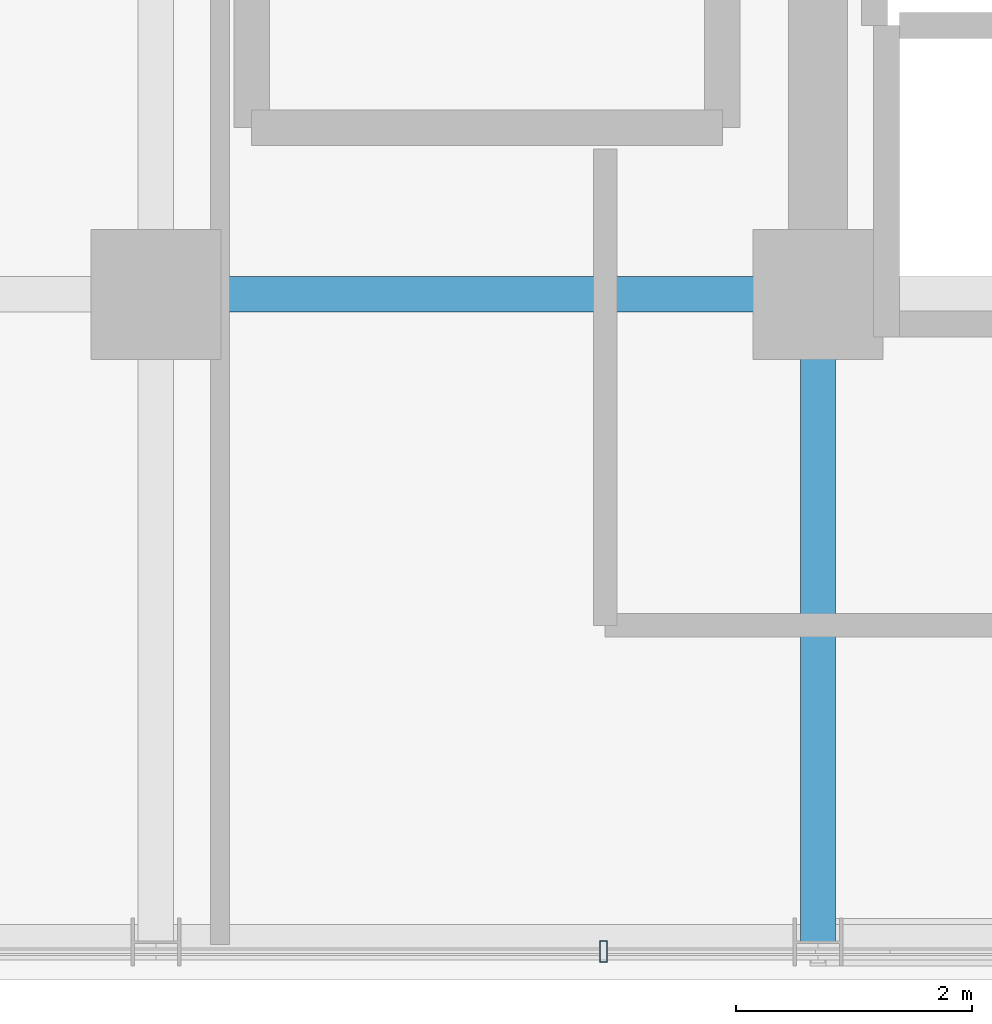
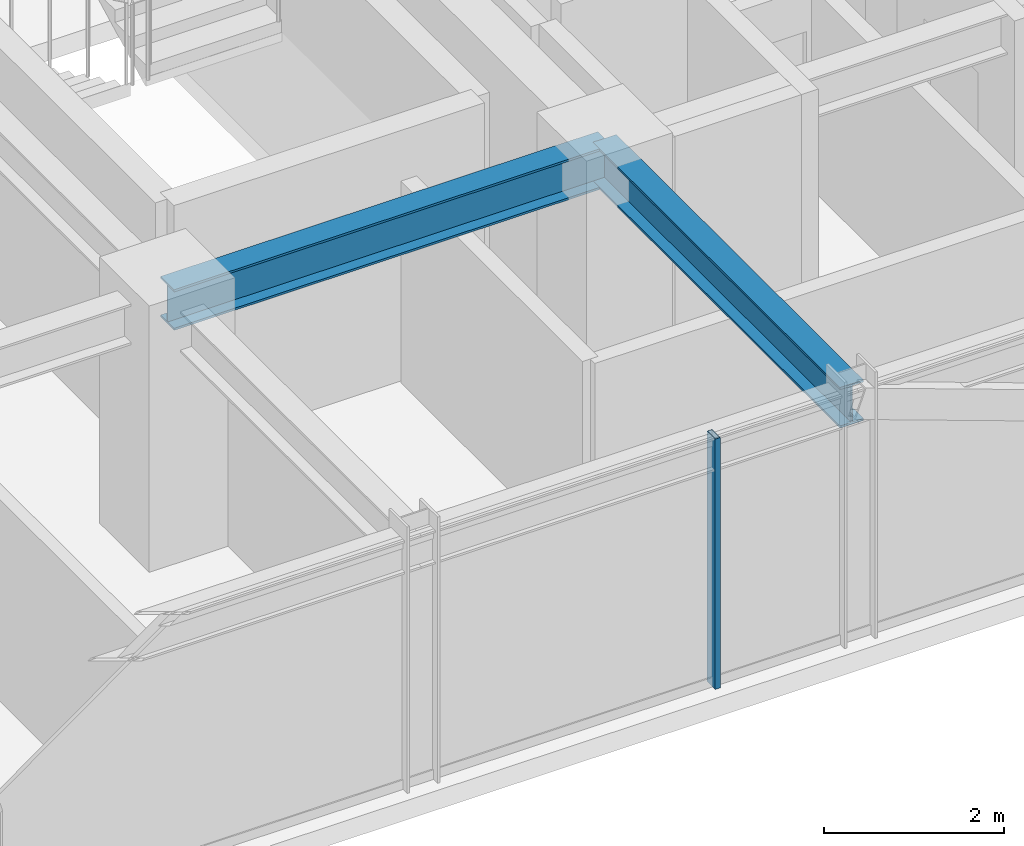
# One storey, part 6 of 29: 2 beams, 1 member, 1 element without a shape of its own.
"""IFC4 building model written with IfcOpenShell, lengths in metres."""

from ifc_helpers import new_model, si_unit, direction, frame, origin, origin_2d, place, context, subcontext, project, spatial, hollow_rectangle, i_section, extrude, source, transform, mapped, material, material_profile, profile_set, type_object, element, aggregate, save


model = new_model("IFC4")

# Units and contexts
model_context = context("Model", 3, precision=1e-05, world=origin(), true_north=direction((0.0, 1.0)))
body_context = subcontext(model_context, "Body", "Model", "MODEL_VIEW")
ifc_project = project(units=[si_unit("LENGTHUNIT", "METRE"), si_unit("AREAUNIT", "SQUARE_METRE"), si_unit("VOLUMEUNIT", "CUBIC_METRE"), si_unit("PLANEANGLEUNIT", "RADIAN"), si_unit("MASSUNIT", "GRAM", prefix="KILO")], contexts=[model_context])

# Site, building, storey
site_placement = place(None, origin())
site = spatial("IfcSite", under=ifc_project, at=site_placement, CompositionType="ELEMENT")
building_placement = place(site_placement, origin())
building = spatial("IfcBuilding", under=site, at=building_placement, Name="Nahalor Promenade Grand Hotel", CompositionType="ELEMENT")
storey_placement = place(building_placement, frame((0.0, 0.0, 189.14990234375)))
storey = spatial("IfcBuildingStorey", under=building, at=storey_placement, Name="L48", CompositionType="ELEMENT", Elevation=189.14990234375)

# Beams
ifc_material_1 = material(Name="Steel S355JR", Category="steel")
ifc_material_profile_1 = material_profile(ifc_material_1, i_section(OverallWidth=0.3, OverallDepth=0.55, WebThickness=0.015, FlangeThickness=0.029, at=origin_2d()), Name="HEB 550")
ifc_profile_set_1 = profile_set([ifc_material_profile_1], Name="Steel S355JR")
beam_type = type_object("IfcBeamType", Name="Beam-Girder-HEB550", PredefinedType="BEAM", material=ifc_profile_set_1)
shared_shape_1 = source(origin(), body_context, "Body", "SweptSolid", [
    extrude(i_section(OverallWidth=0.3, OverallDepth=0.55, WebThickness=0.015, FlangeThickness=0.029, at=origin_2d()), origin(), (0.0, 0.0, 1.0), 5.599853515625),
])
beam_1_placement = place(storey_placement, frame((2.800048828125, -17.0, 3.114990234375), z_axis=(1.0, 0.0, 0.0), x_axis=(0.0, 1.0, 0.0)))
element("IfcBeam", 1, at=beam_1_placement, inside=storey, type_object=beam_type, Name="BM-L48-GX-0-4", PredefinedType="BEAM", context=body_context, shape_type="MappedRepresentation", body=[
    mapped(shared_shape_1, transform((0.0, 0.0, 0.0), scale=1.0)),
])
shared_shape_2 = source(origin(), body_context, "Body", "SweptSolid", [
    extrude(i_section(OverallWidth=0.3, OverallDepth=0.55, WebThickness=0.015, FlangeThickness=0.029, at=origin_2d()), origin(), (0.0, 0.0, 1.0), 5.47998046875),
])
beam_2_placement = place(storey_placement, frame((8.39990234375, -22.47998046875, 3.114990234375), z_axis=(0.0, 1.0, 0.0), x_axis=(-1.0, 0.0, 0.0)))
element("IfcBeam", 2, at=beam_2_placement, inside=storey, type_object=beam_type, Name="BM-L48-GY-4-0", PredefinedType="BEAM", context=body_context, shape_type="MappedRepresentation", body=[
    mapped(shared_shape_2, transform((0.0, 0.0, 0.0), scale=1.0)),
])

# Curtain wall, member
ifc_material_2 = material(Name="Anodised Bronze Aluminium EN AW-6063 T6", Category="aluminium")
curtain_wall_type = type_object("IfcCurtainWallType", Name="CW2 Typical Hotel Flush Bronze Unitised Curtain Wall", PredefinedType="USERDEFINED", material=ifc_material_2)
curtain_wall_placement = place(storey_placement, origin())
curtain_wall = element("IfcCurtainWall", 3, at=curtain_wall_placement, inside=storey, type_object=curtain_wall_type, Name="L48 Curtain Wall CW-L48-S-1", ObjectType="UNITISED_CURTAIN_WALL", PredefinedType="USERDEFINED")
ifc_material_profile_2 = material_profile(ifc_material_2, hollow_rectangle(XDim=0.065, YDim=0.18, WallThickness=0.004, at=origin_2d()), Name="CWM 65x180x4")
ifc_profile_set_2 = profile_set([ifc_material_profile_2], Name="Anodised Bronze Aluminium EN AW-6063 T6")
member_type = type_object("IfcMemberType", Name="CWM2 Typical Bronze Mullion 65x180", PredefinedType="MULLION", material=ifc_profile_set_2)
shared_shape_3 = source(origin(), body_context, "Body", "SweptSolid", [
    extrude(hollow_rectangle(XDim=0.065, YDim=0.18, WallThickness=0.004, at=origin_2d()), origin(), (0.0, 0.0, 1.0), 3.39013671875),
])
member_placement = place(storey_placement, frame((6.586669921875, -22.56005859375, 0.0), z_axis=(0.0, 0.0, 1.0), x_axis=(1.0, 0.0, 0.0)))
member = element("IfcMember", 4, at=member_placement, type_object=member_type, Name="CW-L48-S-1 Mullion 2", PredefinedType="MULLION", context=body_context, shape_type="MappedRepresentation", body=[
    mapped(shared_shape_3, transform((0.0, 0.0, 0.0), scale=1.0)),
])
aggregate(curtain_wall, [member])

save(model, "model.ifc")
